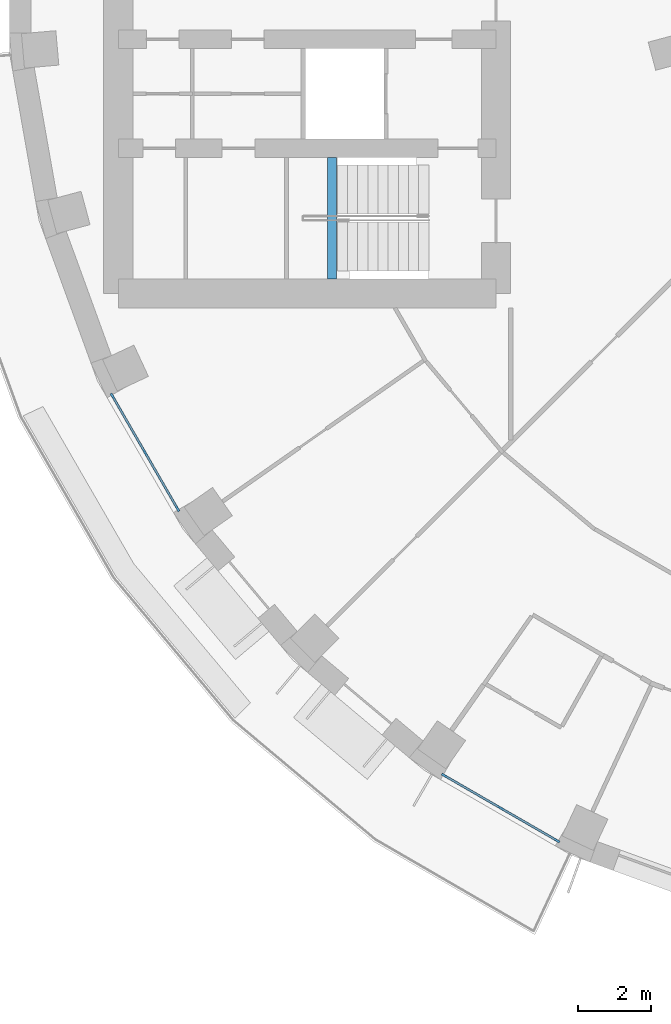
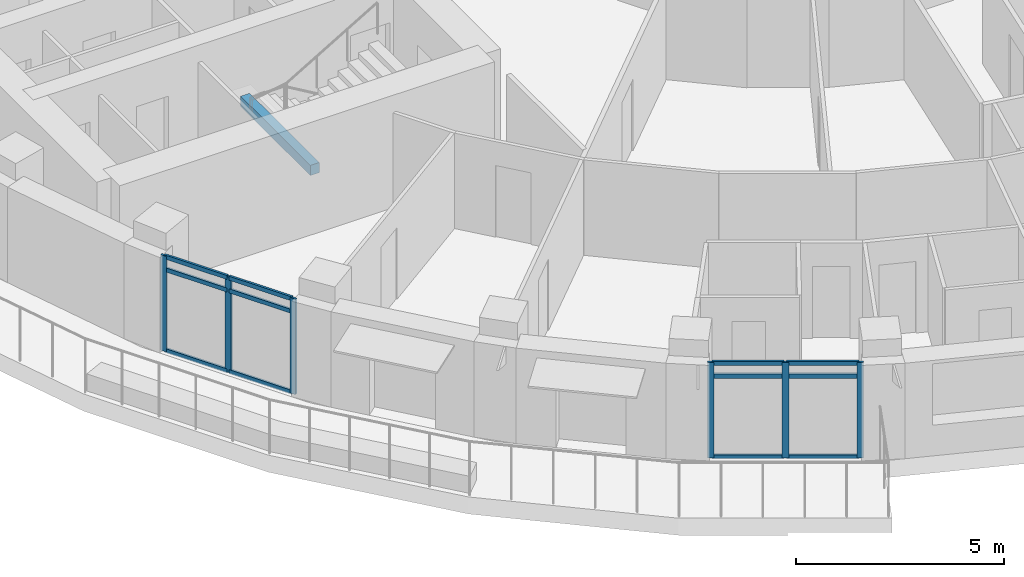
# One storey, part 2 of 16: 18 members, 1 beam, 2 elements without a shape of their own.
"""IFC4 building model written with IfcOpenShell, lengths in metres."""

from ifc_helpers import new_model, si_unit, direction, frame, origin, origin_2d, place, context, subcontext, project, spatial, rectangle, extrude, material, layer, layer_set, material_profile, profile_set, type_object, element, aggregate, save


model = new_model("IFC4")

# Units and contexts
model_context = context("Model", 3, precision=1e-05, world=origin(), true_north=direction((0.0, 1.0)))
body_context = subcontext(model_context, "Body", "Model", "MODEL_VIEW")
ifc_project = project(units=[si_unit("LENGTHUNIT", "METRE"), si_unit("AREAUNIT", "SQUARE_METRE"), si_unit("VOLUMEUNIT", "CUBIC_METRE"), si_unit("PLANEANGLEUNIT", "RADIAN"), si_unit("MASSUNIT", "GRAM", prefix="KILO")], contexts=[model_context])

# Site, building, storey
site_placement = place(None, origin())
site = spatial("IfcSite", under=ifc_project, at=site_placement, CompositionType="ELEMENT")
building_placement = place(site_placement, origin())
building = spatial("IfcBuilding", under=site, at=building_placement, Name="Saqina Gate Tower", CompositionType="ELEMENT")
storey_placement = place(building_placement, frame((0.0, 0.0, 128.199951171875)))
storey = spatial("IfcBuildingStorey", under=building, at=storey_placement, Name="L36", CompositionType="ELEMENT", Elevation=128.199951171875)

# Curtain wall, members
ifc_material_1 = material(Name="Aluminium glazing", Category="aluminium")
ifc_layer = layer(ifc_material_1, 0.159912109375)
ifc_layer_set = layer_set([ifc_layer], Name="CWT-4")
curtain_wall_type = type_object("IfcCurtainWallType", Name="CWT-4", PredefinedType="NOTDEFINED", material=ifc_layer_set)
curtain_wall_1_placement = place(storey_placement, origin())
curtain_wall_1 = element("IfcCurtainWall", 1, at=curtain_wall_1_placement, inside=storey, type_object=curtain_wall_type, Name="Terrace lounge glazing facet 21", PredefinedType="NOTDEFINED")
ifc_material_2 = material(Name="Aluminium", Category="aluminium")
ifc_material_profile_1 = material_profile(ifc_material_2, rectangle(XDim=0.06005859375, YDim=0.159912109375, at=origin_2d()), Name="Aluminium 60x160")
ifc_profile_set_1 = profile_set([ifc_material_profile_1], Name="Aluminium")
member_type_1 = type_object("IfcMemberType", Name="CWT-4M", PredefinedType="MULLION", material=ifc_profile_set_1)
member_1_placement = place(storey_placement, frame((-24.060791015625, -11.820068359375, 0.0), z_axis=(0.0, 0.0, 1.0), x_axis=(0.86602626266, 0.499998512381, 0.0)))
member_1 = element("IfcMember", 2, at=member_1_placement, type_object=member_type_1, Name="CW4-21 mullion 1", PredefinedType="MULLION", context=body_context, shape_type="SweptSolid", body=[
    extrude(rectangle(XDim=0.06005859375, YDim=0.159912109375, at=origin_2d()), origin(), (0.0, 0.0, 1.0), 2.800048828125),
])
member_2_placement = place(storey_placement, frame((-23.163818359375, -13.37353515625, 0.0), z_axis=(0.0, 0.0, 1.0), x_axis=(0.86602626266, 0.499998512381, 0.0)))
member_2 = element("IfcMember", 3, at=member_2_placement, type_object=member_type_1, Name="CW4-21 mullion 2", PredefinedType="MULLION", context=body_context, shape_type="SweptSolid", body=[
    extrude(rectangle(XDim=0.06005859375, YDim=0.159912109375, at=origin_2d()), origin(), (0.0, 0.0, 1.0), 2.800048828125),
])
member_3_placement = place(storey_placement, frame((-22.266845703125, -14.92724609375, 0.0), z_axis=(0.0, 0.0, 1.0), x_axis=(0.86602626266, 0.499998512381, 0.0)))
member_3 = element("IfcMember", 4, at=member_3_placement, type_object=member_type_1, Name="CW4-21 mullion 3", PredefinedType="MULLION", context=body_context, shape_type="SweptSolid", body=[
    extrude(rectangle(XDim=0.06005859375, YDim=0.159912109375, at=origin_2d()), origin(), (0.0, 0.0, 1.0), 2.800048828125),
])

curtain_wall_2_placement = place(storey_placement, origin())
curtain_wall_2 = element("IfcCurtainWall", 5, at=curtain_wall_2_placement, inside=storey, type_object=curtain_wall_type, Name="Terrace lounge glazing facet 24", PredefinedType="NOTDEFINED")
member_4_placement = place(storey_placement, frame((-14.92724609375, -22.266845703125, 0.0), z_axis=(0.0, 0.0, 1.0), x_axis=(0.499998512381, 0.86602626266, 0.0)))
member_4 = element("IfcMember", 6, at=member_4_placement, type_object=member_type_1, Name="CW4-24 mullion 1", PredefinedType="MULLION", context=body_context, shape_type="SweptSolid", body=[
    extrude(rectangle(XDim=0.06005859375, YDim=0.159912109375, at=origin_2d()), origin(), (0.0, 0.0, 1.0), 2.800048828125),
])
member_5_placement = place(storey_placement, frame((-13.37353515625, -23.163818359375, 0.0), z_axis=(0.0, 0.0, 1.0), x_axis=(0.499998512381, 0.86602626266, 0.0)))
member_5 = element("IfcMember", 7, at=member_5_placement, type_object=member_type_1, Name="CW4-24 mullion 2", PredefinedType="MULLION", context=body_context, shape_type="SweptSolid", body=[
    extrude(rectangle(XDim=0.06005859375, YDim=0.159912109375, at=origin_2d()), origin(), (0.0, 0.0, 1.0), 2.800048828125),
])
member_6_placement = place(storey_placement, frame((-11.820068359375, -24.060791015625, 0.0), z_axis=(0.0, 0.0, 1.0), x_axis=(0.499998512381, 0.86602626266, 0.0)))
member_6 = element("IfcMember", 8, at=member_6_placement, type_object=member_type_1, Name="CW4-24 mullion 3", PredefinedType="MULLION", context=body_context, shape_type="SweptSolid", body=[
    extrude(rectangle(XDim=0.06005859375, YDim=0.159912109375, at=origin_2d()), origin(), (0.0, 0.0, 1.0), 2.800048828125),
])

# Member
ifc_material_3 = material(Name="Aluminium", Category="aluminium")
ifc_material_profile_2 = material_profile(ifc_material_3, rectangle(XDim=0.06005859375, YDim=0.1201171875, at=origin_2d()), Name="Aluminium 60x120")
ifc_profile_set_2 = profile_set([ifc_material_profile_2], Name="Aluminium")
member_type_2 = type_object("IfcMemberType", Name="CWT-4T", PredefinedType="USERDEFINED", material=ifc_profile_set_2)
member_7_placement = place(storey_placement, frame((-24.0458984375, -11.845947265625, 0.030029296875), z_axis=(0.49997027332, -0.866042565811, 0.0), x_axis=(0.866042565811, 0.49997027332, 0.0)))
member_7 = element("IfcMember", 9, at=member_7_placement, type_object=member_type_2, Name="CW4-21 transom 1.1", ObjectType="TRANSOM", PredefinedType="USERDEFINED", context=body_context, shape_type="SweptSolid", body=[
    extrude(rectangle(XDim=0.06005859375, YDim=0.1201171875, at=origin_2d()), origin(), (0.0, 0.0, 1.0), 1.73388671875),
])

member_8_placement = place(storey_placement, frame((-24.0458984375, -11.845947265625, 2.400146484375), z_axis=(0.49997027332, -0.866042565811, 0.0), x_axis=(0.866042565811, 0.49997027332, 0.0)))
member_8 = element("IfcMember", 10, at=member_8_placement, type_object=member_type_2, Name="CW4-21 transom 1.2", ObjectType="TRANSOM", PredefinedType="USERDEFINED", context=body_context, shape_type="SweptSolid", body=[
    extrude(rectangle(XDim=0.06005859375, YDim=0.1201171875, at=origin_2d()), origin(), (0.0, 0.0, 1.0), 1.73388671875),
])

member_9_placement = place(storey_placement, frame((-24.0458984375, -11.845947265625, 2.77001953125), z_axis=(0.49997027332, -0.866042565811, 0.0), x_axis=(0.866042565811, 0.49997027332, 0.0)))
member_9 = element("IfcMember", 11, at=member_9_placement, type_object=member_type_2, Name="CW4-21 transom 1.3", ObjectType="TRANSOM", PredefinedType="USERDEFINED", context=body_context, shape_type="SweptSolid", body=[
    extrude(rectangle(XDim=0.06005859375, YDim=0.1201171875, at=origin_2d()), origin(), (0.0, 0.0, 1.0), 1.73388671875),
])

member_10_placement = place(storey_placement, frame((-23.14892578125, -13.399658203125, 0.030029296875), z_axis=(0.500031244004, -0.866007364299, 0.0), x_axis=(0.866007364299, 0.500031244004, 0.0)))
member_10 = element("IfcMember", 12, at=member_10_placement, type_object=member_type_2, Name="CW4-21 transom 2.1", ObjectType="TRANSOM", PredefinedType="USERDEFINED", context=body_context, shape_type="SweptSolid", body=[
    extrude(rectangle(XDim=0.06005859375, YDim=0.1201171875, at=origin_2d()), origin(), (0.0, 0.0, 1.0), 1.73388671875),
])

member_11_placement = place(storey_placement, frame((-23.14892578125, -13.399658203125, 2.400146484375), z_axis=(0.500031244004, -0.866007364299, 0.0), x_axis=(0.866007364299, 0.500031244004, 0.0)))
member_11 = element("IfcMember", 13, at=member_11_placement, type_object=member_type_2, Name="CW4-21 transom 2.2", ObjectType="TRANSOM", PredefinedType="USERDEFINED", context=body_context, shape_type="SweptSolid", body=[
    extrude(rectangle(XDim=0.06005859375, YDim=0.1201171875, at=origin_2d()), origin(), (0.0, 0.0, 1.0), 1.73388671875),
])

member_12_placement = place(storey_placement, frame((-23.14892578125, -13.399658203125, 2.77001953125), z_axis=(0.500031244004, -0.866007364299, 0.0), x_axis=(0.866007364299, 0.500031244004, 0.0)))
member_12 = element("IfcMember", 14, at=member_12_placement, type_object=member_type_2, Name="CW4-21 transom 2.3", ObjectType="TRANSOM", PredefinedType="USERDEFINED", context=body_context, shape_type="SweptSolid", body=[
    extrude(rectangle(XDim=0.06005859375, YDim=0.1201171875, at=origin_2d()), origin(), (0.0, 0.0, 1.0), 1.73388671875),
])

aggregate(curtain_wall_1, [member_1, member_2, member_3, member_7, member_8, member_9, member_10, member_11, member_12])

member_13_placement = place(storey_placement, frame((-14.901123046875, -22.281982421875, 0.030029296875), z_axis=(0.866007364299, -0.500031244004, 0.0), x_axis=(0.500031244004, 0.866007364299, 0.0)))
member_13 = element("IfcMember", 15, at=member_13_placement, type_object=member_type_2, Name="CW4-24 transom 1.1", ObjectType="TRANSOM", PredefinedType="USERDEFINED", context=body_context, shape_type="SweptSolid", body=[
    extrude(rectangle(XDim=0.06005859375, YDim=0.1201171875, at=origin_2d()), origin(), (0.0, 0.0, 1.0), 1.73388671875),
])

member_14_placement = place(storey_placement, frame((-14.901123046875, -22.281982421875, 2.400146484375), z_axis=(0.866007364299, -0.500031244004, 0.0), x_axis=(0.500031244004, 0.866007364299, 0.0)))
member_14 = element("IfcMember", 16, at=member_14_placement, type_object=member_type_2, Name="CW4-24 transom 1.2", ObjectType="TRANSOM", PredefinedType="USERDEFINED", context=body_context, shape_type="SweptSolid", body=[
    extrude(rectangle(XDim=0.06005859375, YDim=0.1201171875, at=origin_2d()), origin(), (0.0, 0.0, 1.0), 1.73388671875),
])

member_15_placement = place(storey_placement, frame((-14.901123046875, -22.281982421875, 2.77001953125), z_axis=(0.866007364299, -0.500031244004, 0.0), x_axis=(0.500031244004, 0.866007364299, 0.0)))
member_15 = element("IfcMember", 17, at=member_15_placement, type_object=member_type_2, Name="CW4-24 transom 1.3", ObjectType="TRANSOM", PredefinedType="USERDEFINED", context=body_context, shape_type="SweptSolid", body=[
    extrude(rectangle(XDim=0.06005859375, YDim=0.1201171875, at=origin_2d()), origin(), (0.0, 0.0, 1.0), 1.73388671875),
])

member_16_placement = place(storey_placement, frame((-13.34765625, -23.178955078125, 0.030029296875), z_axis=(0.866042565811, -0.49997027332, 0.0), x_axis=(0.49997027332, 0.866042565811, 0.0)))
member_16 = element("IfcMember", 18, at=member_16_placement, type_object=member_type_2, Name="CW4-24 transom 2.1", ObjectType="TRANSOM", PredefinedType="USERDEFINED", context=body_context, shape_type="SweptSolid", body=[
    extrude(rectangle(XDim=0.06005859375, YDim=0.1201171875, at=origin_2d()), origin(), (0.0, 0.0, 1.0), 1.73388671875),
])

member_17_placement = place(storey_placement, frame((-13.34765625, -23.178955078125, 2.400146484375), z_axis=(0.866042565811, -0.49997027332, 0.0), x_axis=(0.49997027332, 0.866042565811, 0.0)))
member_17 = element("IfcMember", 19, at=member_17_placement, type_object=member_type_2, Name="CW4-24 transom 2.2", ObjectType="TRANSOM", PredefinedType="USERDEFINED", context=body_context, shape_type="SweptSolid", body=[
    extrude(rectangle(XDim=0.06005859375, YDim=0.1201171875, at=origin_2d()), origin(), (0.0, 0.0, 1.0), 1.73388671875),
])

member_18_placement = place(storey_placement, frame((-13.34765625, -23.178955078125, 2.77001953125), z_axis=(0.866042565811, -0.49997027332, 0.0), x_axis=(0.49997027332, 0.866042565811, 0.0)))
member_18 = element("IfcMember", 20, at=member_18_placement, type_object=member_type_2, Name="CW4-24 transom 2.3", ObjectType="TRANSOM", PredefinedType="USERDEFINED", context=body_context, shape_type="SweptSolid", body=[
    extrude(rectangle(XDim=0.06005859375, YDim=0.1201171875, at=origin_2d()), origin(), (0.0, 0.0, 1.0), 1.73388671875),
])

aggregate(curtain_wall_2, [member_4, member_5, member_6, member_13, member_14, member_15, member_16, member_17, member_18])

# Beam
ifc_material_4 = material(Name="Concrete C40/50", Category="concrete")
ifc_material_profile_3 = material_profile(ifc_material_4, rectangle(XDim=0.25, YDim=0.300048828125, at=origin_2d()), Name="STAIR LANDING BEAM")
ifc_profile_set_3 = profile_set([ifc_material_profile_3], Name="Concrete C40/50")
beam_type = type_object("IfcBeamType", Name="STAIR LANDING BEAM", PredefinedType="BEAM", material=ifc_profile_set_3)
beam_placement = place(storey_placement, frame((-18.02001953125, -8.60009765625, 1.25), z_axis=(0.0, 1.0, 0.0), x_axis=(-1.0, 0.0, 0.0)))
element("IfcBeam", 21, at=beam_placement, inside=storey, type_object=beam_type, Name="EXIT STAIR 4 LANDING BEAM", PredefinedType="BEAM", context=body_context, shape_type="SweptSolid", body=[
    extrude(rectangle(XDim=0.25, YDim=0.300048828125, at=origin_2d()), origin(), (0.0, 0.0, 1.0), 3.35009765625),
])

save(model, "model.ifc")
